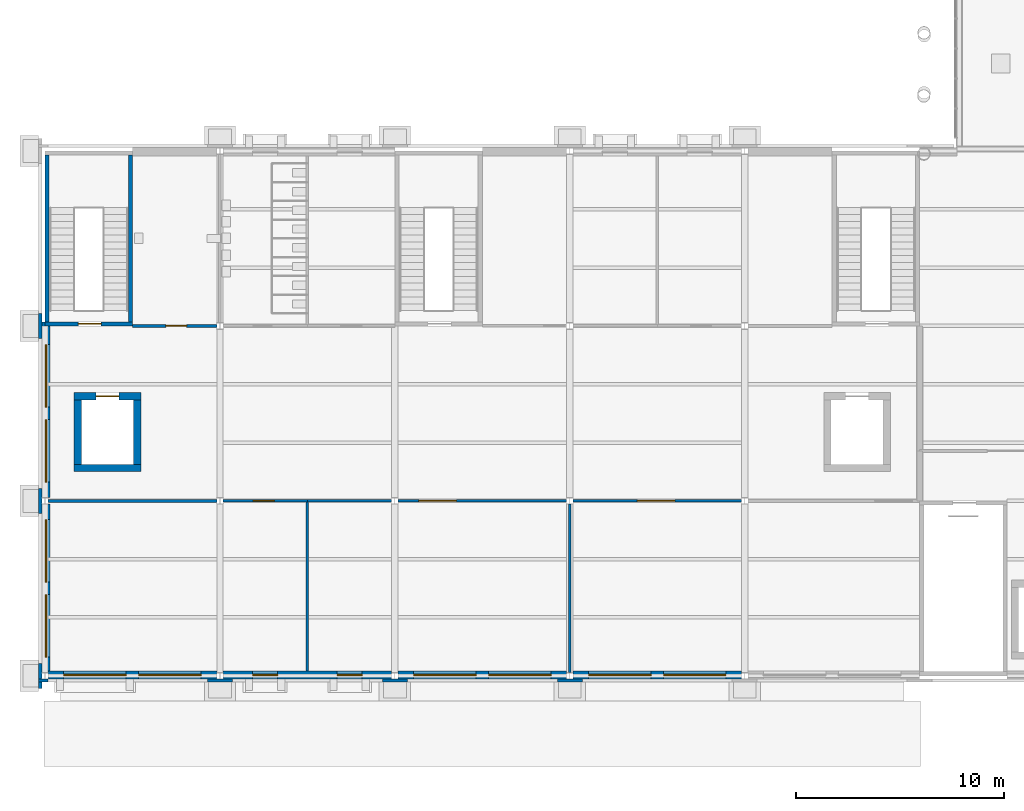
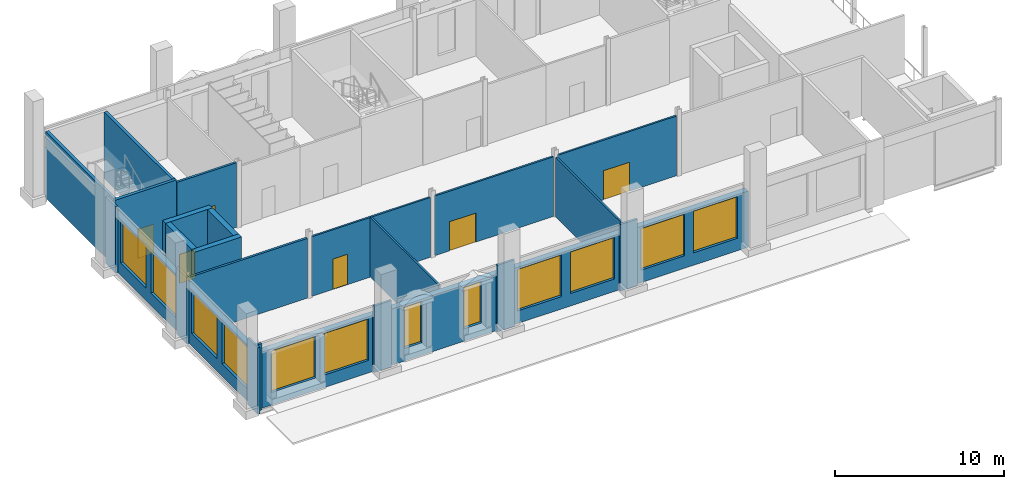
# One storey, part 47 of 76: 28 walls, 12 windows, 6 doors, 18 openings.
"""IFC4 building model written with IfcOpenShell, lengths in metres."""

from ifc_helpers import new_model, si_unit, direction, frame, frame_2d, origin, place, context, subcontext, project, spatial, rectangle, extrude, material, layer, layer_set, type_object, element, fill, save


model = new_model("IFC4")

# Units and contexts
model_context = context("Model", 3, precision=1e-05, world=origin(), true_north=direction((0.0, 1.0)))
body_context = subcontext(model_context, "Body", "Model", "MODEL_VIEW")
ifc_project = project(units=[si_unit("LENGTHUNIT", "METRE"), si_unit("AREAUNIT", "SQUARE_METRE"), si_unit("VOLUMEUNIT", "CUBIC_METRE"), si_unit("PLANEANGLEUNIT", "RADIAN"), si_unit("MASSUNIT", "GRAM", prefix="KILO")], contexts=[model_context])

# Site, building, storey
site_placement = place(None, origin())
site = spatial("IfcSite", under=ifc_project, at=site_placement, CompositionType="ELEMENT")
building_placement = place(site_placement, origin())
building = spatial("IfcBuilding", under=site, at=building_placement, Name="Sava Quay Ferry Terminal", CompositionType="ELEMENT")
storey_placement = place(building_placement, frame((0.0, 0.0, 6.0)))
storey = spatial("IfcBuildingStorey", under=building, at=storey_placement, Name="L01", CompositionType="ELEMENT", Elevation=6.0)

# Walls
ifc_material_1 = material(Name="Limestone Mutalj", Category="masonry")
ifc_layer_1 = layer(ifc_material_1, 0.14990234375)
ifc_layer_set_1 = layer_set([ifc_layer_1], Name="Limestone Mutalj")
wall_type_1 = type_object("IfcWallType", Name="Pier cladding 150", PredefinedType="SOLIDWALL", material=ifc_layer_set_1)
wall_1_placement = place(storey_placement, frame((-0.300048828125, 24.965087890625, 0.0), z_axis=(0.0, 0.0, 1.0), x_axis=(1.0, 0.0, 0.0)))
element("IfcWall", 1, at=wall_1_placement, inside=storey, type_object=wall_type_1, Name="Pier W-S grid 0", PredefinedType="SOLIDWALL", context=body_context, shape_type="SweptSolid", body=[
    extrude(rectangle(XDim=0.449951171875, YDim=0.14990234375, at=frame_2d((0.22509765625, 0.0))), origin(), (0.0, 0.0, 1.0), 4.800048828125),
])
for number, where, z_axis, x_axis, name in (
    (2, (7.800048828125, 24.965087890625, 0.0), (0.0, 0.0, 1.0), (1.0, 0.0, 0.0), "Pier W-S grid 8.4"),
    (3, (16.199951171875, 24.965087890625, 0.0), (0.0, 0.0, 1.0), (1.0, 0.0, 0.0), "Pier W-S grid 16.8"),
    (4, (24.60009765625, 24.965087890625, 0.0), (0.0, 0.0, 1.0), (1.0, 0.0, 0.0), "Pier W-S grid 25.2"),
    (5, (-0.22509765625, 24.60009765625, 0.0), (0.0, 0.0, 1.0), (0.0, 1.0, 0.0), "Pier W-W grid 25.2"),
    (6, (-0.22509765625, 33.0, 0.0), (0.0, 0.0, 1.0), (0.0, 1.0, 0.0), "Pier W-W grid 33.6"),
):
    element("IfcWall", number, at=place(storey_placement, frame(where, z_axis=z_axis, x_axis=x_axis)), inside=storey, type_object=wall_type_1, Name=name, PredefinedType="SOLIDWALL", context=body_context, shape_type="SweptSolid", body=[
        extrude(rectangle(XDim=1.199951171875, YDim=0.14990234375, at=frame_2d((0.60009765625, 0.0))), origin(), (0.0, 0.0, 1.0), 4.800048828125),
    ])
wall_2_placement = place(storey_placement, frame((-0.22509765625, 41.39990234375, 0.0), z_axis=(0.0, 0.0, 1.0), x_axis=(0.0, 1.0, 0.0)))
element("IfcWall", 7, at=wall_2_placement, inside=storey, type_object=wall_type_1, Name="Pier W-W grid 42", PredefinedType="SOLIDWALL", context=body_context, shape_type="SweptSolid", body=[
    extrude(rectangle(XDim=1.2001953125, YDim=0.14990234375, at=frame_2d((0.60009765625, 0.0))), origin(), (0.0, 0.0, 1.0), 4.800048828125),
])
ifc_material_2 = material(Name="Masonry blockwork", Category="masonry")
ifc_layer_2 = layer(ifc_material_2, 0.14990234375)
ifc_layer_set_2 = layer_set([ifc_layer_2], Name="Masonry blockwork")
wall_type_2 = type_object("IfcWallType", Name="Plant, store and lobby wall, blockwork 150", PredefinedType="PARTITIONING", material=ifc_layer_set_2)
wall_3_placement = place(storey_placement, frame((0.14990234375, 33.60009765625, 0.0), z_axis=(0.0, 0.0, 1.0), x_axis=(1.0, 0.0, 0.0)))
element("IfcWall", 8, at=wall_3_placement, inside=storey, type_object=wall_type_2, Name="Plant, store and lobby wall, blockwork 150", PredefinedType="PARTITIONING", context=body_context, shape_type="SweptSolid", body=[
    extrude(rectangle(XDim=8.10009765625, YDim=0.14990234375, at=frame_2d((4.050048828125, 0.0))), origin(), (0.0, 0.0, 1.0), 4.31005859375),
])

# Wall, opening, door
wall_4_placement = place(storey_placement, frame((4.199951171875, 42.0, 0.0), z_axis=(0.0, 0.0, 1.0), x_axis=(1.0, 0.0, 0.0)))
wall_4 = element("IfcWall", 9, at=wall_4_placement, inside=storey, type_object=wall_type_2, Name="Plant, store and lobby wall, blockwork 150", PredefinedType="PARTITIONING", context=body_context, shape_type="SweptSolid", body=[
    extrude(rectangle(XDim=4.050048828125, YDim=0.14990234375, at=frame_2d((2.02490234375, 0.0))), origin(), (0.0, 0.0, 1.0), 4.669921875),
])
opening_1_placement = place(wall_4_placement, frame((1.60009765625, 0.0, 0.0)))
opening_1 = element("IfcOpeningElement", 10, at=opening_1_placement, cuts=wall_4, Name="Opening D0107", PredefinedType="OPENING", context=body_context, shape_type="SweptSolid", body=[
    extrude(rectangle(XDim=1.0, YDim=2.10009765625, at=frame_2d((0.5, 1.050048828125))), frame((0.0, 0.074951171875, 0.0), z_axis=(0.0, -1.0, 0.0), x_axis=(1.0, 0.0, 0.0)), (0.0, 0.0, 1.0), 0.14990234375),
])
ifc_material_3 = material(Name="Laminate door set")
door_type_1 = type_object("IfcDoorType", Name="Accessible toilet door 1000 x 2100", OperationType="NOTDEFINED", PredefinedType="DOOR", material=ifc_material_3)
door_1_placement = place(opening_1_placement, origin())
door_1 = element("IfcDoor", 11, at=door_1_placement, inside=storey, type_object=door_type_1, Name="Door D0107", OperationType="SINGLE_SWING_LEFT", OverallHeight=2.10009765625, OverallWidth=1.0, PredefinedType="DOOR", context=body_context, shape_type="SweptSolid", body=[
    extrude(rectangle(XDim=1.0, YDim=2.10009765625, at=frame_2d((0.5, 1.050048828125))), frame((0.0, 0.02490234375, 0.0), z_axis=(0.0, -1.0, 0.0), x_axis=(1.0, 0.0, 0.0)), (0.0, 0.0, 1.0), 0.050048828125),
])
fill(opening_1, door_1)

ifc_material_4 = material(Name="Concrete C35/45", Category="concrete")
ifc_layer_3 = layer(ifc_material_4, 0.199951171875)
ifc_layer_set_3 = layer_set([ifc_layer_3], Name="Concrete C35/45")
wall_type_3 = type_object("IfcWallType", Name="RC core wall 200", PredefinedType="SHEAR", material=ifc_layer_set_3)
wall_5_placement = place(storey_placement, frame((0.0, 42.10009765625, 0.0), z_axis=(0.0, 0.0, 1.0), x_axis=(1.0, 0.0, 0.0)))
wall_5 = element("IfcWall", 12, at=wall_5_placement, inside=storey, type_object=wall_type_3, Name="Core wall ST-W1 S L01", PredefinedType="SHEAR", context=body_context, shape_type="SweptSolid", body=[
    extrude(rectangle(XDim=4.199951171875, YDim=0.199951171875, at=frame_2d((2.10009765625, 0.0))), origin(), (0.0, 0.0, 1.0), 4.800048828125),
])
opening_2_placement = place(wall_5_placement, frame((1.60009765625, 0.0, 0.0)))
opening_2 = element("IfcOpeningElement", 13, at=opening_2_placement, cuts=wall_5, Name="Opening DS0103", PredefinedType="OPENING", context=body_context, shape_type="SweptSolid", body=[
    extrude(rectangle(XDim=1.10009765625, YDim=2.10009765625, at=frame_2d((0.550048828125, 1.050048828125))), frame((0.0, 0.10009765625, 0.0), z_axis=(0.0, -1.0, 0.0), x_axis=(1.0, 0.0, 0.0)), (0.0, 0.0, 1.0), 0.199951171875),
])
ifc_material_5 = material(Name="Steel fire door set", Category="steel")
door_type_2 = type_object("IfcDoorType", Name="Stair fire door 1100 x 2100", OperationType="NOTDEFINED", PredefinedType="DOOR", material=ifc_material_5)
door_2_placement = place(opening_2_placement, origin())
door_2 = element("IfcDoor", 14, at=door_2_placement, inside=storey, type_object=door_type_2, Name="Door DS0103", OperationType="SINGLE_SWING_RIGHT", OverallHeight=2.10009765625, OverallWidth=1.10009765625, PredefinedType="DOOR", context=body_context, shape_type="SweptSolid", body=[
    extrude(rectangle(XDim=1.10009765625, YDim=2.10009765625, at=frame_2d((0.550048828125, 1.050048828125))), frame((0.0, 0.02490234375, 0.0), z_axis=(0.0, -1.0, 0.0), x_axis=(1.0, 0.0, 0.0)), (0.0, 0.0, 1.0), 0.050048828125),
])
fill(opening_2, door_2)

# Walls
for number, where, z_axis, x_axis, name in (
    (15, (0.10009765625, 42.199951171875, 0.0), (0.0, 0.0, 1.0), (0.0, 1.0, 0.0), "Core wall ST-W1 W L01"),
    (16, (4.10009765625, 42.199951171875, 0.0), (0.0, 0.0, 1.0), (0.0, 1.0, 0.0), "Core wall ST-W1 E L01"),
):
    element("IfcWall", number, at=place(storey_placement, frame(where, z_axis=z_axis, x_axis=x_axis)), inside=storey, type_object=wall_type_3, Name=name, PredefinedType="SHEAR", context=body_context, shape_type="SweptSolid", body=[
        extrude(rectangle(XDim=8.0, YDim=0.199951171875, at=frame_2d((4.0, 0.0))), origin(), (0.0, 0.0, 1.0), 4.800048828125),
    ])
ifc_material_6 = material(Name="Concrete C35/45", Category="concrete")
ifc_layer_4 = layer(ifc_material_6, 0.35009765625)
ifc_layer_set_4 = layer_set([ifc_layer_4], Name="Concrete C35/45")
wall_type_4 = type_object("IfcWallType", Name="RC core wall 350", PredefinedType="SHEAR", material=ifc_layer_set_4)
wall_6_placement = place(storey_placement, frame((1.39990234375, 35.175048828125, 0.0), z_axis=(0.0, 0.0, 1.0), x_axis=(1.0, 0.0, 0.0)))
element("IfcWall", 17, at=wall_6_placement, inside=storey, type_object=wall_type_4, Name="Core wall LF-W1 S L01", PredefinedType="SHEAR", context=body_context, shape_type="SweptSolid", body=[
    extrude(rectangle(XDim=3.2001953125, YDim=0.35009765625, at=frame_2d((1.60009765625, 0.0))), origin(), (0.0, 0.0, 1.0), 4.800048828125),
])

# Wall, opening, door
wall_7_placement = place(storey_placement, frame((1.39990234375, 38.625, 0.0), z_axis=(0.0, 0.0, 1.0), x_axis=(1.0, 0.0, 0.0)))
wall_7 = element("IfcWall", 18, at=wall_7_placement, inside=storey, type_object=wall_type_4, Name="Core wall LF-W1 N L01", PredefinedType="SHEAR", context=body_context, shape_type="SweptSolid", body=[
    extrude(rectangle(XDim=3.2001953125, YDim=0.35009765625, at=frame_2d((1.60009765625, 0.0))), origin(), (0.0, 0.0, 1.0), 4.800048828125),
])
opening_3_placement = place(wall_7_placement, frame((1.050048828125, 0.0, 0.0)))
opening_3 = element("IfcOpeningElement", 19, at=opening_3_placement, cuts=wall_7, Name="Opening LD0103", PredefinedType="OPENING", context=body_context, shape_type="SweptSolid", body=[
    extrude(rectangle(XDim=1.10009765625, YDim=2.10009765625, at=frame_2d((0.550048828125, 1.050048828125))), frame((0.0, 0.175048828125, 0.0), z_axis=(0.0, -1.0, 0.0), x_axis=(1.0, 0.0, 0.0)), (0.0, 0.0, 1.0), 0.35009765625),
])
ifc_material_7 = material(Name="Stainless steel", Category="steel")
door_type_3 = type_object("IfcDoorType", Name="Lift landing door 1100 x 2100", OperationType="NOTDEFINED", PredefinedType="DOOR", material=ifc_material_7)
door_3_placement = place(opening_3_placement, origin())
door_3 = element("IfcDoor", 20, at=door_3_placement, inside=storey, type_object=door_type_3, Name="Door LD0103", OperationType="SLIDING_TO_LEFT", OverallHeight=2.10009765625, OverallWidth=1.10009765625, PredefinedType="DOOR", context=body_context, shape_type="SweptSolid", body=[
    extrude(rectangle(XDim=1.10009765625, YDim=2.10009765625, at=frame_2d((0.550048828125, 1.050048828125))), frame((0.0, 0.02490234375, 0.0), z_axis=(0.0, -1.0, 0.0), x_axis=(1.0, 0.0, 0.0)), (0.0, 0.0, 1.0), 0.050048828125),
])
fill(opening_3, door_3)

# Walls
for number, where, z_axis, x_axis, name in (
    (21, (1.574951171875, 35.35009765625, 0.0), (0.0, 0.0, 1.0), (0.0, 1.0, 0.0), "Core wall LF-W1 W L01"),
    (22, (4.425048828125, 35.35009765625, 0.0), (0.0, 0.0, 1.0), (0.0, 1.0, 0.0), "Core wall LF-W1 E L01"),
):
    element("IfcWall", number, at=place(storey_placement, frame(where, z_axis=z_axis, x_axis=x_axis)), inside=storey, type_object=wall_type_4, Name=name, PredefinedType="SHEAR", context=body_context, shape_type="SweptSolid", body=[
        extrude(rectangle(XDim=3.099853515625, YDim=0.35009765625, at=frame_2d((1.5498046875, 0.0))), origin(), (0.0, 0.0, 1.0), 4.800048828125),
    ])
ifc_material_8 = material(Name="Plasterboard on steel studs", Category="steel")
ifc_layer_5 = layer(ifc_material_8, 0.125)
ifc_layer_set_5 = layer_set([ifc_layer_5], Name="Plasterboard on steel studs")
wall_type_5 = type_object("IfcWallType", Name="Room partition, plasterboard on steel studs 125", PredefinedType="PARTITIONING", material=ifc_layer_set_5)
wall_8_placement = place(storey_placement, frame((12.60009765625, 25.4404296875, 0.0), z_axis=(0.0, 0.0, 1.0), x_axis=(0.0, 1.0, 0.0)))
element("IfcWall", 23, at=wall_8_placement, inside=storey, type_object=wall_type_5, Name="Room partition, plasterboard on steel studs 125", PredefinedType="PARTITIONING", context=body_context, shape_type="SweptSolid", body=[
    extrude(rectangle(XDim=8.15966796875, YDim=0.125, at=frame_2d((4.079833984375, 0.0))), origin(), (0.0, 0.0, 1.0), 4.31005859375),
])

# Wall, opening, door
wall_9_placement = place(storey_placement, frame((8.550048828125, 33.60009765625, 0.0), z_axis=(0.0, 0.0, 1.0), x_axis=(1.0, 0.0, 0.0)))
wall_9 = element("IfcWall", 24, at=wall_9_placement, inside=storey, type_object=wall_type_5, Name="Room partition, plasterboard on steel studs 125", PredefinedType="PARTITIONING", context=body_context, shape_type="SweptSolid", body=[
    extrude(rectangle(XDim=4.050048828125, YDim=0.125, at=frame_2d((2.02490234375, 0.0))), origin(), (0.0, 0.0, 1.0), 4.31005859375),
])
opening_4_placement = place(wall_9_placement, frame((1.449951171875, 0.0, 0.0)))
opening_4 = element("IfcOpeningElement", 25, at=opening_4_placement, cuts=wall_9, Name="Opening D0103", PredefinedType="OPENING", context=body_context, shape_type="SweptSolid", body=[
    extrude(rectangle(XDim=1.0, YDim=2.199951171875, at=frame_2d((0.5, 1.10009765625))), frame((0.0, 0.0625, 0.0), z_axis=(0.0, -1.0, 0.0), x_axis=(1.0, 0.0, 0.0)), (0.0, 0.0, 1.0), 0.125),
])
ifc_material_9 = material(Name="Timber door set", Category="wood")
door_type_4 = type_object("IfcDoorType", Name="Single door 1000 x 2200", OperationType="NOTDEFINED", PredefinedType="DOOR", material=ifc_material_9)
door_4_placement = place(opening_4_placement, origin())
door_4 = element("IfcDoor", 26, at=door_4_placement, inside=storey, type_object=door_type_4, Name="Door D0103", OperationType="SINGLE_SWING_RIGHT", OverallHeight=2.199951171875, OverallWidth=1.0, PredefinedType="DOOR", context=body_context, shape_type="SweptSolid", body=[
    extrude(rectangle(XDim=1.0, YDim=2.199951171875, at=frame_2d((0.5, 1.10009765625))), frame((0.0, 0.02490234375, 0.0), z_axis=(0.0, -1.0, 0.0), x_axis=(1.0, 0.0, 0.0)), (0.0, 0.0, 1.0), 0.050048828125),
])
fill(opening_4, door_4)

# Walls
wall_10_placement = place(storey_placement, frame((25.199951171875, 25.35009765625, 0.0), z_axis=(0.0, 0.0, 1.0), x_axis=(0.0, 1.0, 0.0)))
element("IfcWall", 27, at=wall_10_placement, inside=storey, type_object=wall_type_5, Name="Room partition, plasterboard on steel studs 125", PredefinedType="PARTITIONING", context=body_context, shape_type="SweptSolid", body=[
    extrude(rectangle(XDim=8.099853515625, YDim=0.125, at=frame_2d((4.0498046875, 0.0))), origin(), (0.0, 0.0, 1.0), 4.280029296875),
])
wall_11_placement = place(storey_placement, frame((12.60009765625, 33.60009765625, 0.0), z_axis=(0.0, 0.0, 1.0), x_axis=(1.0, 0.0, 0.0)))
element("IfcWall", 28, at=wall_11_placement, inside=storey, type_object=wall_type_5, Name="Room partition, plasterboard on steel studs 125", PredefinedType="PARTITIONING", context=body_context, shape_type="SweptSolid", body=[
    extrude(rectangle(XDim=4.0498046875, YDim=0.125, at=frame_2d((2.02490234375, 0.0))), origin(), (0.0, 0.0, 1.0), 4.31005859375),
])

# Wall, opening, door
wall_12_placement = place(storey_placement, frame((16.949951171875, 33.60009765625, 0.0), z_axis=(0.0, 0.0, 1.0), x_axis=(1.0, 0.0, 0.0)))
wall_12 = element("IfcWall", 29, at=wall_12_placement, inside=storey, type_object=wall_type_5, Name="Room partition, plasterboard on steel studs 125", PredefinedType="PARTITIONING", context=body_context, shape_type="SweptSolid", body=[
    extrude(rectangle(XDim=8.10009765625, YDim=0.125, at=frame_2d((4.050048828125, 0.0))), origin(), (0.0, 0.0, 1.0), 4.31005859375),
])
opening_5_placement = place(wall_12_placement, frame((1.0, 0.0, 0.0)))
opening_5 = element("IfcOpeningElement", 30, at=opening_5_placement, cuts=wall_12, Name="Opening D0104", PredefinedType="OPENING", context=body_context, shape_type="SweptSolid", body=[
    extrude(rectangle(XDim=1.800048828125, YDim=2.10009765625, at=frame_2d((0.89990234375, 1.050048828125))), frame((0.0, 0.0625, 0.0), z_axis=(0.0, -1.0, 0.0), x_axis=(1.0, 0.0, 0.0)), (0.0, 0.0, 1.0), 0.125),
])
ifc_material_10 = material(Name="Timber door set", Category="wood")
door_type_5 = type_object("IfcDoorType", Name="Double door 1800 x 2100", OperationType="NOTDEFINED", PredefinedType="DOOR", material=ifc_material_10)
door_5_placement = place(opening_5_placement, origin())
door_5 = element("IfcDoor", 31, at=door_5_placement, inside=storey, type_object=door_type_5, Name="Door D0104", OperationType="DOUBLE_DOOR_DOUBLE_SWING", OverallHeight=2.10009765625, OverallWidth=1.800048828125, PredefinedType="DOOR", context=body_context, shape_type="SweptSolid", body=[
    extrude(rectangle(XDim=1.800048828125, YDim=2.10009765625, at=frame_2d((0.89990234375, 1.050048828125))), frame((0.0, 0.02490234375, 0.0), z_axis=(0.0, -1.0, 0.0), x_axis=(1.0, 0.0, 0.0)), (0.0, 0.0, 1.0), 0.050048828125),
])
fill(opening_5, door_5)

wall_13_placement = place(storey_placement, frame((25.35009765625, 33.60009765625, 0.0), z_axis=(0.0, 0.0, 1.0), x_axis=(1.0, 0.0, 0.0)))
wall_13 = element("IfcWall", 32, at=wall_13_placement, inside=storey, type_object=wall_type_5, Name="Room partition, plasterboard on steel studs 125", PredefinedType="PARTITIONING", context=body_context, shape_type="SweptSolid", body=[
    extrude(rectangle(XDim=8.099853515625, YDim=0.125, at=frame_2d((4.0498046875, 0.0))), origin(), (0.0, 0.0, 1.0), 4.31005859375),
])
opening_6_placement = place(wall_13_placement, frame((3.10009765625, 0.0, 0.0)))
opening_6 = element("IfcOpeningElement", 33, at=opening_6_placement, cuts=wall_13, Name="Opening D0105", PredefinedType="OPENING", context=body_context, shape_type="SweptSolid", body=[
    extrude(rectangle(XDim=1.800048828125, YDim=2.10009765625, at=frame_2d((0.89990234375, 1.050048828125))), frame((0.0, 0.0625, 0.0), z_axis=(0.0, -1.0, 0.0), x_axis=(1.0, 0.0, 0.0)), (0.0, 0.0, 1.0), 0.125),
])
door_6_placement = place(opening_6_placement, origin())
door_6 = element("IfcDoor", 34, at=door_6_placement, inside=storey, type_object=door_type_5, Name="Door D0105", OperationType="DOUBLE_DOOR_DOUBLE_SWING", OverallHeight=2.10009765625, OverallWidth=1.800048828125, PredefinedType="DOOR", context=body_context, shape_type="SweptSolid", body=[
    extrude(rectangle(XDim=1.800048828125, YDim=2.10009765625, at=frame_2d((0.89990234375, 1.050048828125))), frame((0.0, 0.02490234375, 0.0), z_axis=(0.0, -1.0, 0.0), x_axis=(1.0, 0.0, 0.0)), (0.0, 0.0, 1.0), 0.050048828125),
])
fill(opening_6, door_6)

# Wall, openings, windows
ifc_material_11 = material(Name="Sandstone Bela Voda", Category="masonry")
ifc_layer_6 = layer(ifc_material_11, 0.39990234375)
ifc_layer_set_6 = layer_set([ifc_layer_6], Name="Sandstone Bela Voda")
wall_type_6 = type_object("IfcWallType", Name="Sandstone ashlar infill 400", PredefinedType="SOLIDWALL", material=ifc_layer_set_6)
wall_14_placement = place(storey_placement, frame((0.14990234375, 25.239990234375, 0.0), z_axis=(0.0, 0.0, 1.0), x_axis=(1.0, 0.0, 0.0)))
wall_14 = element("IfcWall", 35, at=wall_14_placement, inside=storey, type_object=wall_type_6, Name="External wall W-S", PredefinedType="SOLIDWALL", context=body_context, shape_type="SweptSolid", body=[
    extrude(rectangle(XDim=8.10009765625, YDim=0.39990234375, at=frame_2d((4.050048828125, 0.0))), origin(), (0.0, 0.0, 1.0), 4.050048828125),
])
opening_7_placement = place(wall_14_placement, frame((0.75, 0.0, 0.89990234375)))
opening_7 = element("IfcOpeningElement", 36, at=opening_7_placement, cuts=wall_14, Name="Opening W-B", PredefinedType="OPENING", context=body_context, shape_type="SweptSolid", body=[
    extrude(rectangle(XDim=3.0, YDim=3.0, at=frame_2d((1.5, 1.5))), frame((0.0, 0.199951171875, 0.0), z_axis=(0.0, -1.0, 0.0), x_axis=(1.0, 0.0, 0.0)), (0.0, 0.0, 1.0), 0.39990234375),
])
opening_8_placement = place(wall_14_placement, frame((4.35009765625, 0.0, 0.89990234375)))
opening_8 = element("IfcOpeningElement", 37, at=opening_8_placement, cuts=wall_14, Name="Opening W-B", PredefinedType="OPENING", context=body_context, shape_type="SweptSolid", body=[
    extrude(rectangle(XDim=3.0, YDim=3.0, at=frame_2d((1.5, 1.5))), frame((0.0, 0.199951171875, 0.0), z_axis=(0.0, -1.0, 0.0), x_axis=(1.0, 0.0, 0.0)), (0.0, 0.0, 1.0), 0.39990234375),
])
ifc_material_12 = material(Name="Aluminium bronze anodised frame, glazing double low-e Ug 1.1", Category="aluminium")
window_type_1 = type_object("IfcWindowType", Name="Upper ordered window 3000x3000", PartitioningType="SINGLE_PANEL", PredefinedType="WINDOW", material=ifc_material_12)
window_1_placement = place(opening_7_placement, origin())
window_1 = element("IfcWindow", 38, at=window_1_placement, inside=storey, type_object=window_type_1, Name="Window W-B", OverallHeight=3.0, OverallWidth=3.0, PartitioningType="SINGLE_PANEL", PredefinedType="WINDOW", context=body_context, shape_type="SweptSolid", body=[
    extrude(rectangle(XDim=3.0, YDim=3.0, at=frame_2d((1.5, 1.5))), frame((0.0, 0.030029296875, 0.0), z_axis=(0.0, -1.0, 0.0), x_axis=(1.0, 0.0, 0.0)), (0.0, 0.0, 1.0), 0.06005859375),
])
fill(opening_7, window_1)
window_2_placement = place(opening_8_placement, origin())
window_2 = element("IfcWindow", 39, at=window_2_placement, inside=storey, type_object=window_type_1, Name="Window W-B", OverallHeight=3.0, OverallWidth=3.0, PartitioningType="SINGLE_PANEL", PredefinedType="WINDOW", context=body_context, shape_type="SweptSolid", body=[
    extrude(rectangle(XDim=3.0, YDim=3.0, at=frame_2d((1.5, 1.5))), frame((0.0, 0.030029296875, 0.0), z_axis=(0.0, -1.0, 0.0), x_axis=(1.0, 0.0, 0.0)), (0.0, 0.0, 1.0), 0.06005859375),
])
fill(opening_8, window_2)

wall_15_placement = place(storey_placement, frame((8.550048828125, 25.239990234375, 0.0), z_axis=(0.0, 0.0, 1.0), x_axis=(1.0, 0.0, 0.0)))
wall_15 = element("IfcWall", 40, at=wall_15_placement, inside=storey, type_object=wall_type_6, Name="External wall W-S", PredefinedType="SOLIDWALL", context=body_context, shape_type="SweptSolid", body=[
    extrude(rectangle(XDim=8.099853515625, YDim=0.39990234375, at=frame_2d((4.0498046875, 0.0))), origin(), (0.0, 0.0, 1.0), 4.050048828125),
])
opening_9_placement = place(wall_15_placement, frame((1.418701171875, 0.0, 0.89990234375)))
opening_9 = element("IfcOpeningElement", 41, at=opening_9_placement, cuts=wall_15, Name="Opening W-E1", PredefinedType="OPENING", context=body_context, shape_type="SweptSolid", body=[
    extrude(rectangle(XDim=1.199951171875, YDim=3.0, at=frame_2d((0.60009765625, 1.5))), frame((0.0, 0.199951171875, 0.0), z_axis=(0.0, -1.0, 0.0), x_axis=(1.0, 0.0, 0.0)), (0.0, 0.0, 1.0), 0.39990234375),
])
opening_10_placement = place(wall_15_placement, frame((5.481201171875, 0.0, 0.89990234375)))
opening_10 = element("IfcOpeningElement", 42, at=opening_10_placement, cuts=wall_15, Name="Opening W-E1", PredefinedType="OPENING", context=body_context, shape_type="SweptSolid", body=[
    extrude(rectangle(XDim=1.199951171875, YDim=3.0, at=frame_2d((0.60009765625, 1.5))), frame((0.0, 0.199951171875, 0.0), z_axis=(0.0, -1.0, 0.0), x_axis=(1.0, 0.0, 0.0)), (0.0, 0.0, 1.0), 0.39990234375),
])
ifc_material_13 = material(Name="Aluminium bronze anodised frame, glazing double low-e Ug 1.1", Category="aluminium")
window_type_2 = type_object("IfcWindowType", Name="Entrance sidelight 1200x3000", PartitioningType="SINGLE_PANEL", PredefinedType="WINDOW", material=ifc_material_13)
window_3_placement = place(opening_9_placement, origin())
window_3 = element("IfcWindow", 43, at=window_3_placement, inside=storey, type_object=window_type_2, Name="Window W-E1", OverallHeight=3.0, OverallWidth=1.199951171875, PartitioningType="SINGLE_PANEL", PredefinedType="WINDOW", context=body_context, shape_type="SweptSolid", body=[
    extrude(rectangle(XDim=1.199951171875, YDim=3.0, at=frame_2d((0.60009765625, 1.5))), frame((0.0, 0.030029296875, 0.0), z_axis=(0.0, -1.0, 0.0), x_axis=(1.0, 0.0, 0.0)), (0.0, 0.0, 1.0), 0.06005859375),
])
fill(opening_9, window_3)
window_4_placement = place(opening_10_placement, origin())
window_4 = element("IfcWindow", 44, at=window_4_placement, inside=storey, type_object=window_type_2, Name="Window W-E1", OverallHeight=3.0, OverallWidth=1.199951171875, PartitioningType="SINGLE_PANEL", PredefinedType="WINDOW", context=body_context, shape_type="SweptSolid", body=[
    extrude(rectangle(XDim=1.199951171875, YDim=3.0, at=frame_2d((0.60009765625, 1.5))), frame((0.0, 0.030029296875, 0.0), z_axis=(0.0, -1.0, 0.0), x_axis=(1.0, 0.0, 0.0)), (0.0, 0.0, 1.0), 0.06005859375),
])
fill(opening_10, window_4)

wall_16_placement = place(storey_placement, frame((16.949951171875, 25.239990234375, 0.0), z_axis=(0.0, 0.0, 1.0), x_axis=(1.0, 0.0, 0.0)))
wall_16 = element("IfcWall", 45, at=wall_16_placement, inside=storey, type_object=wall_type_6, Name="External wall W-S", PredefinedType="SOLIDWALL", context=body_context, shape_type="SweptSolid", body=[
    extrude(rectangle(XDim=8.10009765625, YDim=0.39990234375, at=frame_2d((4.050048828125, 0.0))), origin(), (0.0, 0.0, 1.0), 4.050048828125),
])
opening_11_placement = place(wall_16_placement, frame((0.75, 0.0, 0.89990234375)))
opening_11 = element("IfcOpeningElement", 46, at=opening_11_placement, cuts=wall_16, Name="Opening W-B", PredefinedType="OPENING", context=body_context, shape_type="SweptSolid", body=[
    extrude(rectangle(XDim=3.0, YDim=3.0, at=frame_2d((1.5, 1.5))), frame((0.0, 0.199951171875, 0.0), z_axis=(0.0, -1.0, 0.0), x_axis=(1.0, 0.0, 0.0)), (0.0, 0.0, 1.0), 0.39990234375),
])
opening_12_placement = place(wall_16_placement, frame((4.35009765625, 0.0, 0.89990234375)))
opening_12 = element("IfcOpeningElement", 47, at=opening_12_placement, cuts=wall_16, Name="Opening W-B", PredefinedType="OPENING", context=body_context, shape_type="SweptSolid", body=[
    extrude(rectangle(XDim=3.0, YDim=3.0, at=frame_2d((1.5, 1.5))), frame((0.0, 0.199951171875, 0.0), z_axis=(0.0, -1.0, 0.0), x_axis=(1.0, 0.0, 0.0)), (0.0, 0.0, 1.0), 0.39990234375),
])
window_5_placement = place(opening_11_placement, origin())
window_5 = element("IfcWindow", 48, at=window_5_placement, inside=storey, type_object=window_type_1, Name="Window W-B", OverallHeight=3.0, OverallWidth=3.0, PartitioningType="SINGLE_PANEL", PredefinedType="WINDOW", context=body_context, shape_type="SweptSolid", body=[
    extrude(rectangle(XDim=3.0, YDim=3.0, at=frame_2d((1.5, 1.5))), frame((0.0, 0.030029296875, 0.0), z_axis=(0.0, -1.0, 0.0), x_axis=(1.0, 0.0, 0.0)), (0.0, 0.0, 1.0), 0.06005859375),
])
fill(opening_11, window_5)
window_6_placement = place(opening_12_placement, origin())
window_6 = element("IfcWindow", 49, at=window_6_placement, inside=storey, type_object=window_type_1, Name="Window W-B", OverallHeight=3.0, OverallWidth=3.0, PartitioningType="SINGLE_PANEL", PredefinedType="WINDOW", context=body_context, shape_type="SweptSolid", body=[
    extrude(rectangle(XDim=3.0, YDim=3.0, at=frame_2d((1.5, 1.5))), frame((0.0, 0.030029296875, 0.0), z_axis=(0.0, -1.0, 0.0), x_axis=(1.0, 0.0, 0.0)), (0.0, 0.0, 1.0), 0.06005859375),
])
fill(opening_12, window_6)

wall_17_placement = place(storey_placement, frame((25.35009765625, 25.239990234375, 0.0), z_axis=(0.0, 0.0, 1.0), x_axis=(1.0, 0.0, 0.0)))
wall_17 = element("IfcWall", 50, at=wall_17_placement, inside=storey, type_object=wall_type_6, Name="External wall W-S", PredefinedType="SOLIDWALL", context=body_context, shape_type="SweptSolid", body=[
    extrude(rectangle(XDim=8.099853515625, YDim=0.39990234375, at=frame_2d((4.0498046875, 0.0))), origin(), (0.0, 0.0, 1.0), 4.050048828125),
])
opening_13_placement = place(wall_17_placement, frame((0.75, 0.0, 0.89990234375)))
opening_13 = element("IfcOpeningElement", 51, at=opening_13_placement, cuts=wall_17, Name="Opening W-B", PredefinedType="OPENING", context=body_context, shape_type="SweptSolid", body=[
    extrude(rectangle(XDim=3.0, YDim=3.0, at=frame_2d((1.5, 1.5))), frame((0.0, 0.199951171875, 0.0), z_axis=(0.0, -1.0, 0.0), x_axis=(1.0, 0.0, 0.0)), (0.0, 0.0, 1.0), 0.39990234375),
])
opening_14_placement = place(wall_17_placement, frame((4.35009765625, 0.0, 0.89990234375)))
opening_14 = element("IfcOpeningElement", 52, at=opening_14_placement, cuts=wall_17, Name="Opening W-B", PredefinedType="OPENING", context=body_context, shape_type="SweptSolid", body=[
    extrude(rectangle(XDim=3.0, YDim=3.0, at=frame_2d((1.5, 1.5))), frame((0.0, 0.199951171875, 0.0), z_axis=(0.0, -1.0, 0.0), x_axis=(1.0, 0.0, 0.0)), (0.0, 0.0, 1.0), 0.39990234375),
])
window_7_placement = place(opening_13_placement, origin())
window_7 = element("IfcWindow", 53, at=window_7_placement, inside=storey, type_object=window_type_1, Name="Window W-B", OverallHeight=3.0, OverallWidth=3.0, PartitioningType="SINGLE_PANEL", PredefinedType="WINDOW", context=body_context, shape_type="SweptSolid", body=[
    extrude(rectangle(XDim=3.0, YDim=3.0, at=frame_2d((1.5, 1.5))), frame((0.0, 0.030029296875, 0.0), z_axis=(0.0, -1.0, 0.0), x_axis=(1.0, 0.0, 0.0)), (0.0, 0.0, 1.0), 0.06005859375),
])
fill(opening_13, window_7)
window_8_placement = place(opening_14_placement, origin())
window_8 = element("IfcWindow", 54, at=window_8_placement, inside=storey, type_object=window_type_1, Name="Window W-B", OverallHeight=3.0, OverallWidth=3.0, PartitioningType="SINGLE_PANEL", PredefinedType="WINDOW", context=body_context, shape_type="SweptSolid", body=[
    extrude(rectangle(XDim=3.0, YDim=3.0, at=frame_2d((1.5, 1.5))), frame((0.0, 0.030029296875, 0.0), z_axis=(0.0, -1.0, 0.0), x_axis=(1.0, 0.0, 0.0)), (0.0, 0.0, 1.0), 0.06005859375),
])
fill(opening_14, window_8)

wall_18_placement = place(storey_placement, frame((0.050048828125, 25.35009765625, 0.0), z_axis=(0.0, 0.0, 1.0), x_axis=(0.0, 1.0, 0.0)))
wall_18 = element("IfcWall", 55, at=wall_18_placement, inside=storey, type_object=wall_type_6, Name="External wall W-W", PredefinedType="SOLIDWALL", context=body_context, shape_type="SweptSolid", body=[
    extrude(rectangle(XDim=8.099853515625, YDim=0.39990234375, at=frame_2d((4.0498046875, 0.0))), origin(), (0.0, 0.0, 1.0), 4.050048828125),
])
opening_15_placement = place(wall_18_placement, frame((0.75, 0.0, 0.89990234375)))
opening_15 = element("IfcOpeningElement", 56, at=opening_15_placement, cuts=wall_18, Name="Opening W-B", PredefinedType="OPENING", context=body_context, shape_type="SweptSolid", body=[
    extrude(rectangle(XDim=3.0, YDim=3.0, at=frame_2d((1.5, 1.5))), frame((0.0, 0.199951171875, 0.0), z_axis=(0.0, -1.0, 0.0), x_axis=(1.0, 0.0, 0.0)), (0.0, 0.0, 1.0), 0.39990234375),
])
opening_16_placement = place(wall_18_placement, frame((4.35009765625, 0.0, 0.89990234375)))
opening_16 = element("IfcOpeningElement", 57, at=opening_16_placement, cuts=wall_18, Name="Opening W-B", PredefinedType="OPENING", context=body_context, shape_type="SweptSolid", body=[
    extrude(rectangle(XDim=3.0, YDim=3.0, at=frame_2d((1.5, 1.5))), frame((0.0, 0.199951171875, 0.0), z_axis=(0.0, -1.0, 0.0), x_axis=(1.0, 0.0, 0.0)), (0.0, 0.0, 1.0), 0.39990234375),
])
window_9_placement = place(opening_15_placement, origin())
window_9 = element("IfcWindow", 58, at=window_9_placement, inside=storey, type_object=window_type_1, Name="Window W-B", OverallHeight=3.0, OverallWidth=3.0, PartitioningType="SINGLE_PANEL", PredefinedType="WINDOW", context=body_context, shape_type="SweptSolid", body=[
    extrude(rectangle(XDim=3.0, YDim=3.0, at=frame_2d((1.5, 1.5))), frame((0.0, 0.030029296875, 0.0), z_axis=(0.0, -1.0, 0.0), x_axis=(1.0, 0.0, 0.0)), (0.0, 0.0, 1.0), 0.06005859375),
])
fill(opening_15, window_9)
window_10_placement = place(opening_16_placement, origin())
window_10 = element("IfcWindow", 59, at=window_10_placement, inside=storey, type_object=window_type_1, Name="Window W-B", OverallHeight=3.0, OverallWidth=3.0, PartitioningType="SINGLE_PANEL", PredefinedType="WINDOW", context=body_context, shape_type="SweptSolid", body=[
    extrude(rectangle(XDim=3.0, YDim=3.0, at=frame_2d((1.5, 1.5))), frame((0.0, 0.030029296875, 0.0), z_axis=(0.0, -1.0, 0.0), x_axis=(1.0, 0.0, 0.0)), (0.0, 0.0, 1.0), 0.06005859375),
])
fill(opening_16, window_10)

wall_19_placement = place(storey_placement, frame((0.050048828125, 33.75, 0.0), z_axis=(0.0, 0.0, 1.0), x_axis=(0.0, 1.0, 0.0)))
wall_19 = element("IfcWall", 60, at=wall_19_placement, inside=storey, type_object=wall_type_6, Name="External wall W-W", PredefinedType="SOLIDWALL", context=body_context, shape_type="SweptSolid", body=[
    extrude(rectangle(XDim=8.449951171875, YDim=0.39990234375, at=frame_2d((4.22509765625, 0.0))), origin(), (0.0, 0.0, 1.0), 4.050048828125),
])
opening_17_placement = place(wall_19_placement, frame((0.75, 0.0, 0.89990234375)))
opening_17 = element("IfcOpeningElement", 61, at=opening_17_placement, cuts=wall_19, Name="Opening W-B", PredefinedType="OPENING", context=body_context, shape_type="SweptSolid", body=[
    extrude(rectangle(XDim=3.0, YDim=3.0, at=frame_2d((1.5, 1.5))), frame((0.0, 0.199951171875, 0.0), z_axis=(0.0, -1.0, 0.0), x_axis=(1.0, 0.0, 0.0)), (0.0, 0.0, 1.0), 0.39990234375),
])
opening_18_placement = place(wall_19_placement, frame((4.35009765625, 0.0, 0.89990234375)))
opening_18 = element("IfcOpeningElement", 62, at=opening_18_placement, cuts=wall_19, Name="Opening W-B", PredefinedType="OPENING", context=body_context, shape_type="SweptSolid", body=[
    extrude(rectangle(XDim=3.0, YDim=3.0, at=frame_2d((1.5, 1.5))), frame((0.0, 0.199951171875, 0.0), z_axis=(0.0, -1.0, 0.0), x_axis=(1.0, 0.0, 0.0)), (0.0, 0.0, 1.0), 0.39990234375),
])
window_11_placement = place(opening_17_placement, origin())
window_11 = element("IfcWindow", 63, at=window_11_placement, inside=storey, type_object=window_type_1, Name="Window W-B", OverallHeight=3.0, OverallWidth=3.0, PartitioningType="SINGLE_PANEL", PredefinedType="WINDOW", context=body_context, shape_type="SweptSolid", body=[
    extrude(rectangle(XDim=3.0, YDim=3.0, at=frame_2d((1.5, 1.5))), frame((0.0, 0.030029296875, 0.0), z_axis=(0.0, -1.0, 0.0), x_axis=(1.0, 0.0, 0.0)), (0.0, 0.0, 1.0), 0.06005859375),
])
fill(opening_17, window_11)
window_12_placement = place(opening_18_placement, origin())
window_12 = element("IfcWindow", 64, at=window_12_placement, inside=storey, type_object=window_type_1, Name="Window W-B", OverallHeight=3.0, OverallWidth=3.0, PartitioningType="SINGLE_PANEL", PredefinedType="WINDOW", context=body_context, shape_type="SweptSolid", body=[
    extrude(rectangle(XDim=3.0, YDim=3.0, at=frame_2d((1.5, 1.5))), frame((0.0, 0.030029296875, 0.0), z_axis=(0.0, -1.0, 0.0), x_axis=(1.0, 0.0, 0.0)), (0.0, 0.0, 1.0), 0.06005859375),
])
fill(opening_18, window_12)

save(model, "model.ifc")
